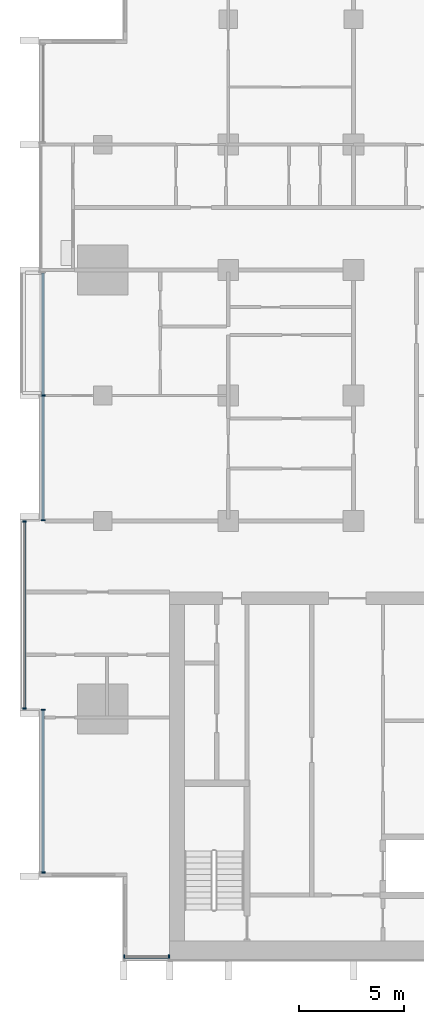
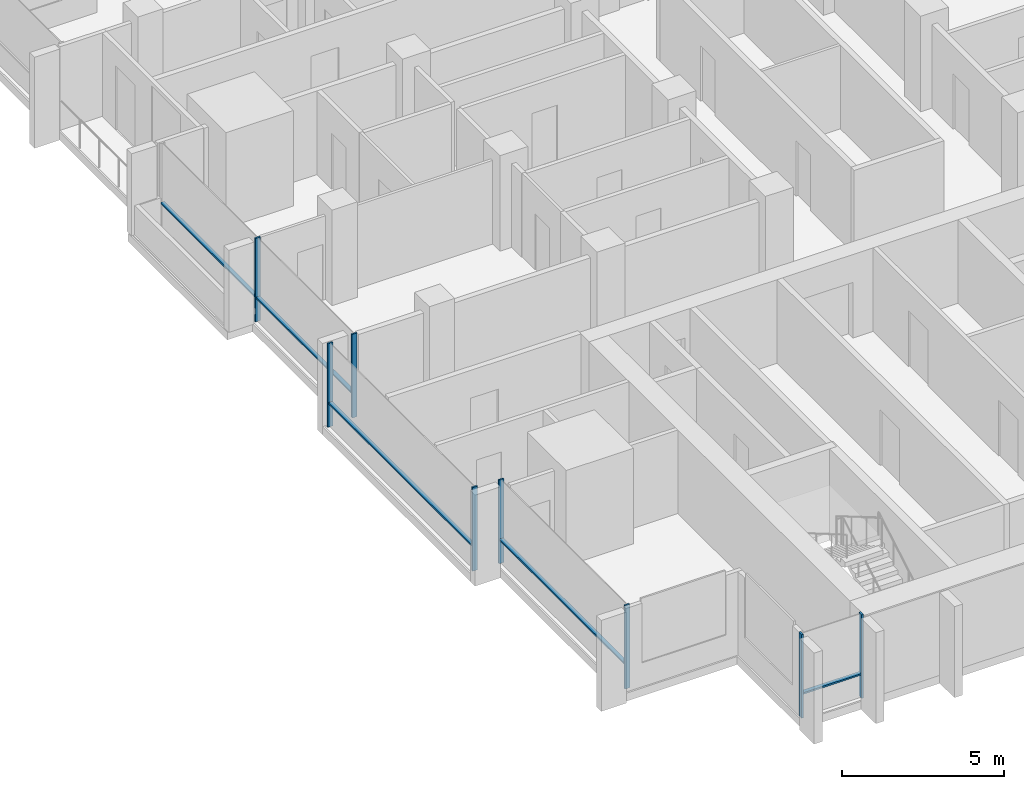
# One storey, part 2 of 17: 13 members, 4 elements without a shape of their own.
"""IFC4 building model written with IfcOpenShell, lengths in metres."""

from ifc_helpers import new_model, si_unit, direction, frame, origin, origin_2d, place, context, subcontext, project, spatial, rectangle, extrude, material, material_profile, profile_set, type_object, element, aggregate, save


model = new_model("IFC4")

# Units and contexts
model_context = context("Model", 3, precision=1e-05, world=origin(), true_north=direction((0.0, 1.0)))
body_context = subcontext(model_context, "Body", "Model", "MODEL_VIEW")
ifc_project = project(units=[si_unit("LENGTHUNIT", "METRE"), si_unit("AREAUNIT", "SQUARE_METRE"), si_unit("VOLUMEUNIT", "CUBIC_METRE"), si_unit("PLANEANGLEUNIT", "RADIAN"), si_unit("MASSUNIT", "GRAM", prefix="KILO")], contexts=[model_context])

# Site, building, storey
site_placement = place(None, origin())
site = spatial("IfcSite", under=ifc_project, at=site_placement, CompositionType="ELEMENT")
building_placement = place(site_placement, origin())
building = spatial("IfcBuilding", under=site, at=building_placement, Name="Finial Court Residences", CompositionType="ELEMENT")
storey_placement = place(building_placement, frame((0.0, 0.0, 196.10009765625)))
storey = spatial("IfcBuildingStorey", under=building, at=storey_placement, Name="L49", CompositionType="ELEMENT", Elevation=196.10009765625)

# Curtain wall, members
ifc_material = material(Name="Bronze anodised aluminium", Category="aluminium")
curtain_wall_type = type_object("IfcCurtainWallType", Name="Unitised curtain wall, upper zones", PredefinedType="NOTDEFINED", material=ifc_material)
curtain_wall_1_placement = place(storey_placement, origin())
curtain_wall_1 = element("IfcCurtainWall", 1, at=curtain_wall_1_placement, inside=storey, type_object=curtain_wall_type, Name="E-L49-CW-S7", PredefinedType="NOTDEFINED")
ifc_material_profile_1 = material_profile(ifc_material, rectangle(XDim=0.175048828125, YDim=0.06005859375, at=origin_2d()), Name="CW2 mullion 60 x 175")
ifc_profile_set_1 = profile_set([ifc_material_profile_1], Name="Bronze anodised aluminium")
member_type_1 = type_object("IfcMemberType", Name="CW2 mullion 60 x 175", PredefinedType="MULLION", material=ifc_profile_set_1)
member_1_placement = place(storey_placement, frame((-15.469970703125, -25.35009765625, 0.0), z_axis=(0.0, 0.0, 1.0), x_axis=(0.0, 1.0, 0.0)))
member_1 = element("IfcMember", 2, at=member_1_placement, type_object=member_type_1, Name="CW2 mullion 1", PredefinedType="MULLION", context=body_context, shape_type="SweptSolid", body=[
    extrude(rectangle(XDim=0.175048828125, YDim=0.06005859375, at=origin_2d()), origin(), (0.0, 0.0, 1.0), 3.14990234375),
])
member_2_placement = place(storey_placement, frame((-13.330078125, -25.35009765625, 0.0), z_axis=(0.0, 0.0, 1.0), x_axis=(0.0, 1.0, 0.0)))
member_2 = element("IfcMember", 3, at=member_2_placement, type_object=member_type_1, Name="CW2 mullion 2", PredefinedType="MULLION", context=body_context, shape_type="SweptSolid", body=[
    extrude(rectangle(XDim=0.175048828125, YDim=0.06005859375, at=origin_2d()), origin(), (0.0, 0.0, 1.0), 3.14990234375),
])

curtain_wall_2_placement = place(storey_placement, origin())
curtain_wall_2 = element("IfcCurtainWall", 4, at=curtain_wall_2_placement, inside=storey, type_object=curtain_wall_type, Name="E-L49-CW-W9", PredefinedType="NOTDEFINED")
member_3_placement = place(storey_placement, frame((-19.35009765625, -21.320068359375, 0.0), z_axis=(0.0, 0.0, 1.0), x_axis=(-1.0, 0.0, 0.0)))
member_3 = element("IfcMember", 5, at=member_3_placement, type_object=member_type_1, Name="CW2 mullion 1", PredefinedType="MULLION", context=body_context, shape_type="SweptSolid", body=[
    extrude(rectangle(XDim=0.175048828125, YDim=0.06005859375, at=origin_2d()), origin(), (0.0, 0.0, 1.0), 3.14990234375),
])
member_4_placement = place(storey_placement, frame((-19.35009765625, -13.530029296875, 0.0), z_axis=(0.0, 0.0, 1.0), x_axis=(-1.0, 0.0, 0.0)))
member_4 = element("IfcMember", 6, at=member_4_placement, type_object=member_type_1, Name="CW2 mullion 2", PredefinedType="MULLION", context=body_context, shape_type="SweptSolid", body=[
    extrude(rectangle(XDim=0.175048828125, YDim=0.06005859375, at=origin_2d()), origin(), (0.0, 0.0, 1.0), 3.14990234375),
])

curtain_wall_3_placement = place(storey_placement, origin())
curtain_wall_3 = element("IfcCurtainWall", 7, at=curtain_wall_3_placement, inside=storey, type_object=curtain_wall_type, Name="E-L49-CW-W10", PredefinedType="NOTDEFINED")
member_5_placement = place(storey_placement, frame((-20.25, -13.469970703125, 0.0), z_axis=(0.0, 0.0, 1.0), x_axis=(-1.0, 0.0, 0.0)))
member_5 = element("IfcMember", 8, at=member_5_placement, type_object=member_type_1, Name="CW2 mullion 1", PredefinedType="MULLION", context=body_context, shape_type="SweptSolid", body=[
    extrude(rectangle(XDim=0.175048828125, YDim=0.06005859375, at=origin_2d()), origin(), (0.0, 0.0, 1.0), 3.14990234375),
])
member_6_placement = place(storey_placement, frame((-20.25, -4.530029296875, 0.0), z_axis=(0.0, 0.0, 1.0), x_axis=(-1.0, 0.0, 0.0)))
member_6 = element("IfcMember", 9, at=member_6_placement, type_object=member_type_1, Name="CW2 mullion 2", PredefinedType="MULLION", context=body_context, shape_type="SweptSolid", body=[
    extrude(rectangle(XDim=0.175048828125, YDim=0.06005859375, at=origin_2d()), origin(), (0.0, 0.0, 1.0), 3.14990234375),
])

curtain_wall_4_placement = place(storey_placement, origin())
curtain_wall_4 = element("IfcCurtainWall", 10, at=curtain_wall_4_placement, inside=storey, type_object=curtain_wall_type, Name="E-L49-CW-W11", PredefinedType="NOTDEFINED")
member_7_placement = place(storey_placement, frame((-19.35009765625, -4.469970703125, 0.0), z_axis=(0.0, 0.0, 1.0), x_axis=(-1.0, 0.0, 0.0)))
member_7 = element("IfcMember", 11, at=member_7_placement, type_object=member_type_1, Name="CW2 mullion 1", PredefinedType="MULLION", context=body_context, shape_type="SweptSolid", body=[
    extrude(rectangle(XDim=0.175048828125, YDim=0.06005859375, at=origin_2d()), origin(), (0.0, 0.0, 1.0), 3.14990234375),
])
member_8_placement = place(storey_placement, frame((-19.35009765625, 1.5, 0.0), z_axis=(0.0, 0.0, 1.0), x_axis=(-1.0, 0.0, 0.0)))
member_8 = element("IfcMember", 12, at=member_8_placement, type_object=member_type_1, Name="CW2 mullion 2", PredefinedType="MULLION", context=body_context, shape_type="SweptSolid", body=[
    extrude(rectangle(XDim=0.175048828125, YDim=0.06005859375, at=origin_2d()), origin(), (0.0, 0.0, 1.0), 3.14990234375),
])

# Member
ifc_material_profile_2 = material_profile(ifc_material, rectangle(XDim=0.139892578125, YDim=0.06005859375, at=origin_2d()), Name="CW2 transom 60 x 140")
ifc_profile_set_2 = profile_set([ifc_material_profile_2], Name="Bronze anodised aluminium")
member_type_2 = type_object("IfcMemberType", Name="CW2 transom 60 x 140", PredefinedType="USERDEFINED", material=ifc_profile_set_2)
member_9_placement = place(storey_placement, frame((-15.43994140625, -25.35009765625, 0.89990234375), z_axis=(1.0, 0.0, 0.0), x_axis=(0.0, 1.0, 0.0)))
member_9 = element("IfcMember", 13, at=member_9_placement, type_object=member_type_2, Name="CW2 transom 1.1", ObjectType="TRANSOM", PredefinedType="USERDEFINED", context=body_context, shape_type="SweptSolid", body=[
    extrude(rectangle(XDim=0.139892578125, YDim=0.06005859375, at=origin_2d()), origin(), (0.0, 0.0, 1.0), 2.079833984375),
])

aggregate(curtain_wall_1, [member_1, member_2, member_9])

member_10_placement = place(storey_placement, frame((-19.35009765625, -21.2900390625, 0.89990234375), z_axis=(0.0, 1.0, 0.0), x_axis=(-1.0, 0.0, 0.0)))
member_10 = element("IfcMember", 14, at=member_10_placement, type_object=member_type_2, Name="CW2 transom 1.1", ObjectType="TRANSOM", PredefinedType="USERDEFINED", context=body_context, shape_type="SweptSolid", body=[
    extrude(rectangle(XDim=0.139892578125, YDim=0.06005859375, at=origin_2d()), origin(), (0.0, 0.0, 1.0), 7.72998046875),
])

aggregate(curtain_wall_2, [member_3, member_4, member_10])

member_11_placement = place(storey_placement, frame((-20.25, -13.43994140625, 0.89990234375), z_axis=(0.0, 1.0, 0.0), x_axis=(-1.0, 0.0, 0.0)))
member_11 = element("IfcMember", 15, at=member_11_placement, type_object=member_type_2, Name="CW2 transom 1.1", ObjectType="TRANSOM", PredefinedType="USERDEFINED", context=body_context, shape_type="SweptSolid", body=[
    extrude(rectangle(XDim=0.139892578125, YDim=0.06005859375, at=origin_2d()), origin(), (0.0, 0.0, 1.0), 8.8798828125),
])

aggregate(curtain_wall_3, [member_5, member_6, member_11])

member_12_placement = place(storey_placement, frame((-19.35009765625, -4.43994140625, 0.89990234375), z_axis=(0.0, 1.0, 0.0), x_axis=(-1.0, 0.0, 0.0)))
member_12 = element("IfcMember", 16, at=member_12_placement, type_object=member_type_2, Name="CW2 transom 1.1", ObjectType="TRANSOM", PredefinedType="USERDEFINED", context=body_context, shape_type="SweptSolid", body=[
    extrude(rectangle(XDim=0.139892578125, YDim=0.06005859375, at=origin_2d()), origin(), (0.0, 0.0, 1.0), 5.909912109375),
])

member_13_placement = place(storey_placement, frame((-19.35009765625, 1.530029296875, 0.89990234375), z_axis=(0.0, 1.0, 0.0), x_axis=(-1.0, 0.0, 0.0)))
member_13 = element("IfcMember", 17, at=member_13_placement, type_object=member_type_2, Name="CW2 transom 2.1", ObjectType="TRANSOM", PredefinedType="USERDEFINED", context=body_context, shape_type="SweptSolid", body=[
    extrude(rectangle(XDim=0.139892578125, YDim=0.06005859375, at=origin_2d()), origin(), (0.0, 0.0, 1.0), 5.8349609375),
])

aggregate(curtain_wall_4, [member_7, member_8, member_12, member_13])

save(model, "model.ifc")
